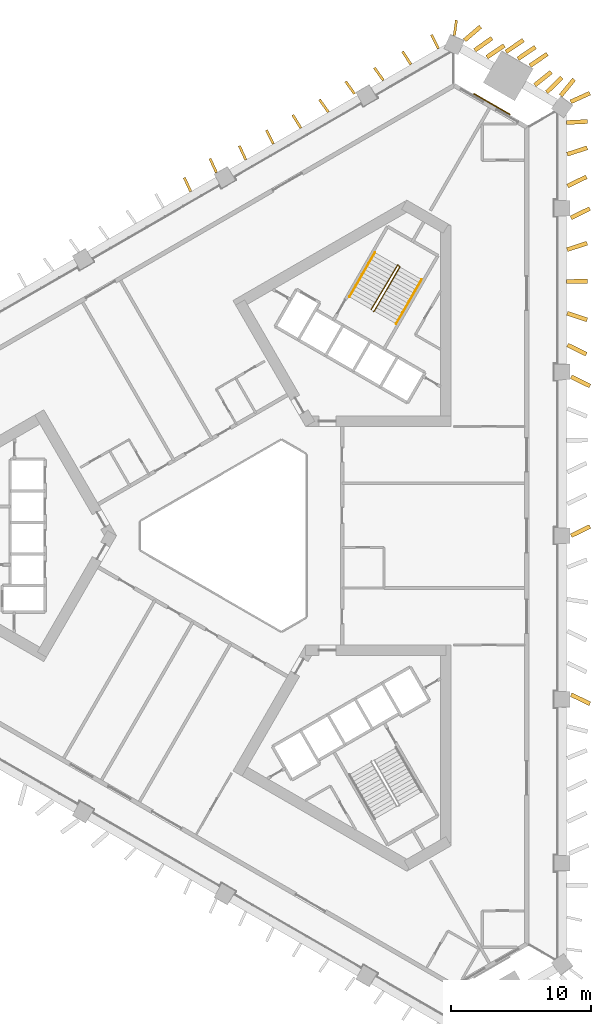
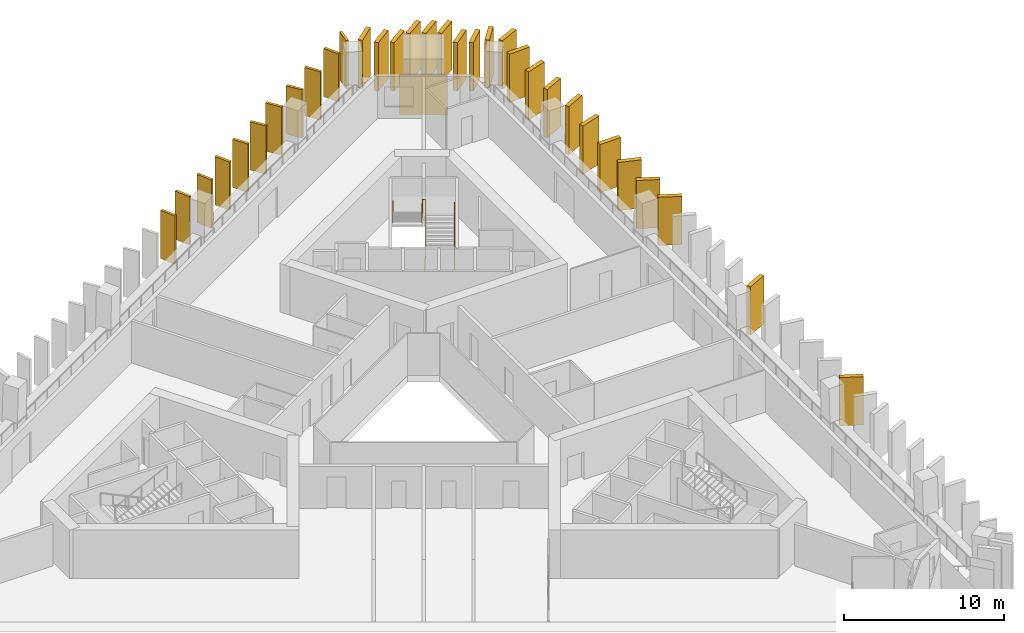
# One storey, part 11 of 11: 32 shading devices, 3 railings, 1 covering.
"""IFC4 building model written with IfcOpenShell, lengths in metres."""

from ifc_helpers import new_model, si_unit, direction, frame, frame_2d, origin, origin_2d, place, context, subcontext, project, spatial, rectangle, circle, extrude, material, layer, layer_set, type_object, element, save


model = new_model("IFC4")

# Units and contexts
model_context = context("Model", 3, precision=1e-05, world=origin(), true_north=direction((0.0, 1.0)))
body_context = subcontext(model_context, "Body", "Model", "MODEL_VIEW")
ifc_project = project(units=[si_unit("LENGTHUNIT", "METRE"), si_unit("AREAUNIT", "SQUARE_METRE"), si_unit("VOLUMEUNIT", "CUBIC_METRE"), si_unit("PLANEANGLEUNIT", "RADIAN"), si_unit("MASSUNIT", "GRAM", prefix="KILO")], contexts=[model_context])

# Site, building, storey
site_placement = place(None, origin())
site = spatial("IfcSite", under=ifc_project, at=site_placement, CompositionType="ELEMENT")
building_placement = place(site_placement, origin())
building = spatial("IfcBuilding", under=site, at=building_placement, Name="Jabali Bay Hotel Tower and Convention Centre", CompositionType="ELEMENT")
storey_placement = place(building_placement, frame((0.0, 0.0, 90.60009765625)))
storey = spatial("IfcBuildingStorey", under=building, at=storey_placement, Name="L21", CompositionType="ELEMENT", Elevation=90.60009765625)

# Shading devices
ifc_material_1 = material(Name="Precast concrete C60", Category="concrete")
ifc_layer_1 = layer(ifc_material_1, 0.179931640625)
ifc_layer_set_1 = layer_set([ifc_layer_1], Name="Precast concrete C60")
shading_device_type_1 = type_object("IfcShadingDeviceType", Name="Precast fin 3680 x 1100", PredefinedType="USERDEFINED", material=ifc_layer_set_1)
shading_device_1_placement = place(storey_placement, frame((88.978515625, 114.771728515625, 0.010009765625), z_axis=(0.0, 0.0, 1.0), x_axis=(-0.452355669193, 0.891837624542, 0.0)))
element("IfcShadingDevice", 1, at=shading_device_1_placement, inside=storey, type_object=shading_device_type_1, Name="Fin L21 036", ObjectType="FIN", PredefinedType="USERDEFINED", context=body_context, shape_type="SweptSolid", body=[
    extrude(rectangle(XDim=1.099853515625, YDim=0.179931640625, at=frame_2d((0.5498046875, 0.0))), origin(), (0.0, 0.0, 1.0), 3.679931640625),
])
for number, where, z_axis, x_axis, name in (
    (2, (87.013916015625, 113.63720703125, 0.010009765625), (0.0, 0.0, 1.0), (-0.545705789235, 0.837976844307, 0.0), "Fin L21 037"),
    (3, (85.047119140625, 112.5068359375, 0.010009765625), (0.0, 0.0, 1.0), (-0.586098088667, 0.810240106673, 0.0), "Fin L21 038"),
    (4, (82.991943359375, 111.529296875, 0.010009765625), (0.0, 0.0, 1.0), (-0.580398075065, 0.814332901497, 0.0), "Fin L21 039"),
):
    element("IfcShadingDevice", number, at=place(storey_placement, frame(where, z_axis=z_axis, x_axis=x_axis)), inside=storey, type_object=shading_device_type_1, Name=name, ObjectType="FIN", PredefinedType="USERDEFINED", context=body_context, shape_type="SweptSolid", body=[
        extrude(rectangle(XDim=1.10009765625, YDim=0.179931640625, at=frame_2d((0.550048828125, 0.0))), origin(), (0.0, 0.0, 1.0), 3.679931640625),
    ])
shading_device_2_placement = place(storey_placement, frame((81.1181640625, 110.237548828125, 0.010009765625), z_axis=(0.0, 0.0, 1.0), x_axis=(-0.578189759069, 0.815902324122, 0.0)))
element("IfcShadingDevice", 5, at=shading_device_2_placement, inside=storey, type_object=shading_device_type_1, Name="Fin L21 040", ObjectType="FIN", PredefinedType="USERDEFINED", context=body_context, shape_type="SweptSolid", body=[
    extrude(rectangle(XDim=1.099853515625, YDim=0.179931640625, at=frame_2d((0.5498046875, 0.0))), origin(), (0.0, 0.0, 1.0), 3.679931640625),
])
shading_device_3_placement = place(storey_placement, frame((79.15625, 109.098388671875, 0.010009765625), z_axis=(0.0, 0.0, 1.0), x_axis=(-0.527103179005, 0.849801293646, 0.0)))
element("IfcShadingDevice", 6, at=shading_device_3_placement, inside=storey, type_object=shading_device_type_1, Name="Fin L21 041", ObjectType="FIN", PredefinedType="USERDEFINED", context=body_context, shape_type="SweptSolid", body=[
    extrude(rectangle(XDim=1.10009765625, YDim=0.179931640625, at=frame_2d((0.550048828125, 0.0))), origin(), (0.0, 0.0, 1.0), 3.679931640625),
])
shading_device_4_placement = place(storey_placement, frame((77.1904296875, 107.966064453125, 0.010009765625), z_axis=(0.0, 0.0, 1.0), x_axis=(-0.449697858227, 0.893180741119, 0.0)))
element("IfcShadingDevice", 7, at=shading_device_4_placement, inside=storey, type_object=shading_device_type_1, Name="Fin L21 042", ObjectType="FIN", PredefinedType="USERDEFINED", context=body_context, shape_type="SweptSolid", body=[
    extrude(rectangle(XDim=1.099853515625, YDim=0.179931640625, at=frame_2d((0.5498046875, 0.0))), origin(), (0.0, 0.0, 1.0), 3.679931640625),
])
for number, where, z_axis, x_axis, name in (
    (8, (75.224365234375, 106.83447265625, 0.010009765625), (0.0, 0.0, 1.0), (-0.419030028282, 0.9079723759, 0.0), "Fin L21 043"),
    (9, (73.130859375, 105.923095703125, 0.010009765625), (0.0, 0.0, 1.0), (-0.419030028282, 0.9079723759, 0.0), "Fin L21 044"),
    (10, (71.294921875, 104.56591796875, 0.010009765625), (0.0, 0.0, 1.0), (-0.419030028282, 0.9079723759, 0.0), "Fin L21 045"),
    (11, (90.109619140625, 115.70556640625, 0.010009765625), (0.0, 0.0, 1.0), (0.139370443126, 0.990240314057, 0.0), "Fin L21 110"),
):
    element("IfcShadingDevice", number, at=place(storey_placement, frame(where, z_axis=z_axis, x_axis=x_axis)), inside=storey, type_object=shading_device_type_1, Name=name, ObjectType="FIN", PredefinedType="USERDEFINED", context=body_context, shape_type="SweptSolid", body=[
        extrude(rectangle(XDim=1.10009765625, YDim=0.179931640625, at=frame_2d((0.550048828125, 0.0))), origin(), (0.0, 0.0, 1.0), 3.679931640625),
    ])
ifc_layer_2 = layer(ifc_material_1, 0.300048828125)
ifc_layer_set_2 = layer_set([ifc_layer_2], Name="Precast concrete C60")
shading_device_type_2 = type_object("IfcShadingDeviceType", Name="Precast fin 3680 x 1500", PredefinedType="USERDEFINED", material=ifc_layer_set_2)
shading_device_5_placement = place(storey_placement, frame((98.442138671875, 68.656982421875, 0.010009765625), z_axis=(0.0, 0.0, 1.0), x_axis=(0.899193548537, -0.437551096753, 0.0)))
element("IfcShadingDevice", 12, at=shading_device_5_placement, inside=storey, type_object=shading_device_type_2, Name="Fin L21 008", ObjectType="FIN", PredefinedType="USERDEFINED", context=body_context, shape_type="SweptSolid", body=[
    extrude(rectangle(XDim=1.499755859375, YDim=0.300048828125, at=frame_2d((0.75, 0.0))), origin(), (0.0, 0.0, 1.0), 3.679931640625),
])
for number, where, z_axis, x_axis, name in (
    (13, (98.442138671875, 80.0, 0.010009765625), (0.0, 0.0, 1.0), (0.899129499022, 0.43768269784, 0.0), "Fin L21 013"),
    (14, (98.442138671875, 91.343017578125, 0.010009765625), (0.0, 0.0, 1.0), (0.899129499022, -0.43768269784, 0.0), "Fin L21 018"),
    (15, (98.1845703125, 93.611572265625, 0.010009765625), (0.0, 0.0, 1.0), (0.899129499022, -0.43768269784, 0.0), "Fin L21 019"),
    (16, (98.166748046875, 95.880126953125, 0.010009765625), (0.0, 0.0, 1.0), (0.947702265569, -0.319155786155, 0.0), "Fin L21 020"),
    (17, (98.120361328125, 98.148681640625, 0.010009765625), (0.0, 0.0, 1.0), (0.999950717225, 0.009927896118, 0.0), "Fin L21 021"),
    (18, (98.165283203125, 100.417236328125, 0.010009765625), (0.0, 0.0, 1.0), (0.951239600379, 0.308452950499, 0.0), "Fin L21 022"),
    (19, (98.42626953125, 102.685791015625, 0.010009765625), (0.0, 0.0, 1.0), (0.899129499022, 0.43768269784, 0.0), "Fin L21 023"),
):
    element("IfcShadingDevice", number, at=place(storey_placement, frame(where, z_axis=z_axis, x_axis=x_axis)), inside=storey, type_object=shading_device_type_2, Name=name, ObjectType="FIN", PredefinedType="USERDEFINED", context=body_context, shape_type="SweptSolid", body=[
        extrude(rectangle(XDim=1.5, YDim=0.300048828125, at=frame_2d((0.75, 0.0))), origin(), (0.0, 0.0, 1.0), 3.679931640625),
    ])
shading_device_6_placement = place(storey_placement, frame((98.1845703125, 104.954345703125, 0.010009765625), z_axis=(0.0, 0.0, 1.0), x_axis=(0.899160672984, 0.437618651521, 0.0)))
element("IfcShadingDevice", 20, at=shading_device_6_placement, inside=storey, type_object=shading_device_type_2, Name="Fin L21 024", ObjectType="FIN", PredefinedType="USERDEFINED", context=body_context, shape_type="SweptSolid", body=[
    extrude(rectangle(XDim=1.500244140625, YDim=0.300048828125, at=frame_2d((0.75, 0.0))), origin(), (0.0, 0.0, 1.0), 3.679931640625),
])
for number, where, z_axis, x_axis, name in (
    (21, (98.165283203125, 107.22314453125, 0.010009765625), (0.0, 0.0, 1.0), (0.951032872603, 0.309089752708, 0.0), "Fin L21 025"),
    (22, (98.1259765625, 109.49169921875, 0.010009765625), (0.0, 0.0, 1.0), (0.998923421484, 0.046389632577, 0.0), "Fin L21 026"),
    (23, (97.706787109375, 111.40869140625, 0.010009765625), (0.0, 0.0, 1.0), (0.631951849945, 0.775007651156, 0.0), "Fin L21 027"),
):
    element("IfcShadingDevice", number, at=place(storey_placement, frame(where, z_axis=z_axis, x_axis=x_axis)), inside=storey, type_object=shading_device_type_2, Name=name, ObjectType="FIN", PredefinedType="USERDEFINED", context=body_context, shape_type="SweptSolid", body=[
        extrude(rectangle(XDim=1.5, YDim=0.300048828125, at=frame_2d((0.75, 0.0))), origin(), (0.0, 0.0, 1.0), 3.679931640625),
    ])
shading_device_7_placement = place(storey_placement, frame((96.7041015625, 111.652099609375, 0.010009765625), z_axis=(0.0, 0.0, 1.0), x_axis=(0.716563228156, 0.697522143057, 0.0)))
element("IfcShadingDevice", 24, at=shading_device_7_placement, inside=storey, type_object=shading_device_type_2, Name="Fin L21 028", ObjectType="FIN", PredefinedType="USERDEFINED", context=body_context, shape_type="SweptSolid", body=[
    extrude(rectangle(XDim=1.500244140625, YDim=0.300048828125, at=frame_2d((0.75, 0.0))), origin(), (0.0, 0.0, 1.0), 3.679931640625),
])
for number, where, z_axis, x_axis, name in (
    (25, (95.853759765625, 112.1591796875, 0.010009765625), (0.0, 0.0, 1.0), (0.781265636341, 0.624198690701, 0.0), "Fin L21 029"),
    (26, (95.507568359375, 113.539794921875, 0.010009765625), (0.0, 0.0, 1.0), (0.825355164951, 0.564613896118, 0.0), "Fin L21 030"),
    (27, (94.650390625, 114.03564453125, 0.010009765625), (0.0, 0.0, 1.0), (0.828654266351, 0.55976075859, 0.0), "Fin L21 031"),
    (28, (93.79296875, 114.53076171875, 0.010009765625), (0.0, 0.0, 1.0), (0.828654266351, 0.55976075859, 0.0), "Fin L21 032"),
    (29, (92.429443359375, 114.14892578125, 0.010009765625), (0.0, 0.0, 1.0), (0.828578765843, 0.559872511196, 0.0), "Fin L21 033"),
):
    element("IfcShadingDevice", number, at=place(storey_placement, frame(where, z_axis=z_axis, x_axis=x_axis)), inside=storey, type_object=shading_device_type_2, Name=name, ObjectType="FIN", PredefinedType="USERDEFINED", context=body_context, shape_type="SweptSolid", body=[
        extrude(rectangle(XDim=1.5, YDim=0.300048828125, at=frame_2d((0.75, 0.0))), origin(), (0.0, 0.0, 1.0), 3.679931640625),
    ])
shading_device_8_placement = place(storey_placement, frame((91.5703125, 114.64111328125, 0.010009765625), z_axis=(0.0, 0.0, 1.0), x_axis=(0.814392869315, 0.580313927465, 0.0)))
element("IfcShadingDevice", 30, at=shading_device_8_placement, inside=storey, type_object=shading_device_type_2, Name="Fin L21 034", ObjectType="FIN", PredefinedType="USERDEFINED", context=body_context, shape_type="SweptSolid", body=[
    extrude(rectangle(XDim=1.499755859375, YDim=0.300048828125, at=frame_2d((0.75, 0.0))), origin(), (0.0, 0.0, 1.0), 3.679931640625),
])
shading_device_9_placement = place(storey_placement, frame((90.841064453125, 115.358154296875, 0.010009765625), z_axis=(0.0, 0.0, 1.0), x_axis=(0.760278216216, 0.649597593859, 0.0)))
element("IfcShadingDevice", 31, at=shading_device_9_placement, inside=storey, type_object=shading_device_type_2, Name="Fin L21 035", ObjectType="FIN", PredefinedType="USERDEFINED", context=body_context, shape_type="SweptSolid", body=[
    extrude(rectangle(XDim=1.5, YDim=0.300048828125, at=frame_2d((0.75, 0.0))), origin(), (0.0, 0.0, 1.0), 3.679931640625),
])
shading_device_10_placement = place(storey_placement, frame((98.413330078125, 110.964599609375, 0.010009765625), z_axis=(0.0, 0.0, 1.0), x_axis=(0.910745168474, 0.412968810084, 0.0)))
element("IfcShadingDevice", 32, at=shading_device_10_placement, inside=storey, type_object=shading_device_type_2, Name="Fin L21 109", ObjectType="FIN", PredefinedType="USERDEFINED", context=body_context, shape_type="SweptSolid", body=[
    extrude(rectangle(XDim=1.499755859375, YDim=0.300048828125, at=frame_2d((0.75, 0.0))), origin(), (0.0, 0.0, 1.0), 3.679931640625),
])

# Covering
ifc_material_2 = material(Name="Precast concrete C40/50", Category="concrete")
ifc_layer_3 = layer(ifc_material_2, 0.080078125)
ifc_layer_set_3 = layer_set([ifc_layer_3], Name="Precast concrete C40/50")
covering_type = type_object("IfcCoveringType", Name="Relief panel 3000 x 3000", PredefinedType="CLADDING", material=ifc_layer_set_3)
covering_placement = place(storey_placement, frame((92.7880859375, 110.809814453125, 0.099853515625), z_axis=(0.0, 0.0, 1.0), x_axis=(0.866025408855, -0.499999991218, 0.0)))
element("IfcCovering", 33, at=covering_placement, inside=storey, type_object=covering_type, Name="Relief panel L21", PredefinedType="CLADDING", context=body_context, shape_type="SweptSolid", body=[
    extrude(rectangle(XDim=3.0, YDim=0.080078125, at=origin_2d()), origin(), (0.0, 0.0, 1.0), 3.0),
])

# Railings
ifc_material_3 = material(Name="Steel Q355B", Category="steel")
railing_type_1 = type_object("IfcRailingType", Name="Stair guard 1100", PredefinedType="GUARDRAIL", material=ifc_material_3)
railing_1_placement = place(storey_placement, frame((84.329833984375, 96.010009765625, 0.0)))
element("IfcRailing", 34, at=railing_1_placement, inside=storey, type_object=railing_type_1, Name="L21 ST2 stair guard 1", PredefinedType="GUARDRAIL", context=body_context, shape_type="SweptSolid", body=[
    extrude(circle(Radius=0.02392578125, at=origin_2d()), frame((0.0, 0.0, 1.076171875), z_axis=(0.456201556387, 0.122196845461, 0.881446578591), x_axis=(-0.258736085224, 0.965948051503, 0.0)), (0.0, 0.0, 1.0), 0.14990234375),
    extrude(circle(Radius=0.02392578125, at=origin_2d()), frame((0.068359375, 0.018310546875, 1.2080078125), z_axis=(0.452190331055, 0.783190014029, 0.426775475427), x_axis=(-0.866018046521, 0.500012742938, 0.0)), (0.0, 0.0, 1.0), 4.02490234375),
    extrude(circle(Radius=0.02392578125, at=origin_2d()), frame((1.888427734375, 3.170654296875, 2.92578125), z_axis=(-0.718850276695, 0.695164929852, 0.0), x_axis=(-0.695164929852, -0.718850276695, 0.0)), (0.0, 0.0, 1.0), 0.2060546875),
    extrude(circle(Radius=0.02392578125, at=origin_2d()), frame((1.740234375, 3.31396484375, 2.92578125), z_axis=(-0.457445338502, -0.768046879266, 0.448160410493), x_axis=(0.859157857954, -0.511710636118, 0.0)), (0.0, 0.0, 1.0), 4.128173828125),
    extrude(circle(Radius=0.02099609375, at=origin_2d()), origin(), (0.0, 0.0, 1.0), 1.052001953125),
    extrude(circle(Radius=0.02099609375, at=origin_2d()), frame((0.068359375, 0.018310546875, 0.132080078125)), (0.0, 0.0, 1.0), 1.052001953125),
    extrude(circle(Radius=0.02099609375, at=origin_2d()), frame((0.5234375, 0.806396484375, 0.5615234375)), (0.0, 0.0, 1.0), 1.052001953125),
    extrude(circle(Radius=0.02099609375, at=origin_2d()), frame((0.978515625, 1.594482421875, 0.990966796875)), (0.0, 0.0, 1.0), 1.052001953125),
    extrude(circle(Radius=0.02099609375, at=origin_2d()), frame((1.433349609375, 2.382568359375, 1.42041015625)), (0.0, 0.0, 1.0), 1.052001953125),
    extrude(circle(Radius=0.02099609375, at=origin_2d()), frame((1.888427734375, 3.170654296875, 1.849853515625)), (0.0, 0.0, 1.0), 1.052001953125),
    extrude(circle(Radius=0.02099609375, at=origin_2d()), frame((1.740234375, 3.31396484375, 1.849853515625)), (0.0, 0.0, 1.0), 1.052001953125),
    extrude(circle(Radius=0.02099609375, at=origin_2d()), frame((1.26806640625, 2.521240234375, 2.3125)), (0.0, 0.0, 1.0), 1.052001953125),
    extrude(circle(Radius=0.02099609375, at=origin_2d()), frame((0.7958984375, 1.728515625, 2.77490234375)), (0.0, 0.0, 1.0), 1.052001953125),
    extrude(circle(Radius=0.02099609375, at=origin_2d()), frame((0.323974609375, 0.93603515625, 3.2373046875)), (0.0, 0.0, 1.0), 1.052001953125),
    extrude(circle(Radius=0.02099609375, at=origin_2d()), frame((-0.148193359375, 0.143310546875, 3.699951171875)), (0.0, 0.0, 1.0), 1.052001953125),
])
railing_type_2 = type_object("IfcRailingType", Name="Stair handrail 900", PredefinedType="HANDRAIL", material=ifc_material_3)
railing_2_placement = place(storey_placement, frame((85.95703125, 95.128173828125, 0.132080078125)))
element("IfcRailing", 35, at=railing_2_placement, inside=storey, type_object=railing_type_2, Name="L21 ST2 stair handrail 1", PredefinedType="HANDRAIL", context=body_context, shape_type="SweptSolid", body=[
    extrude(circle(Radius=0.02392578125, at=origin_2d()), frame((0.0, 0.0, 0.8759765625), z_axis=(0.452190331055, 0.783190014029, 0.426775475427), x_axis=(-0.866018046521, 0.500012742938, 0.0)), (0.0, 0.0, 1.0), 4.02490234375),
    extrude(circle(Radius=0.02099609375, at=origin_2d()), origin(), (0.0, 0.0, 1.0), 0.851806640625),
    extrude(circle(Radius=0.02099609375, at=origin_2d()), frame((0.455078125, 0.7880859375, 0.429443359375)), (0.0, 0.0, 1.0), 0.851806640625),
    extrude(circle(Radius=0.02099609375, at=origin_2d()), frame((0.91015625, 1.576171875, 0.85888671875)), (0.0, 0.0, 1.0), 0.851806640625),
    extrude(circle(Radius=0.02099609375, at=origin_2d()), frame((1.364990234375, 2.3642578125, 1.288330078125)), (0.0, 0.0, 1.0), 0.851806640625),
    extrude(circle(Radius=0.02099609375, at=origin_2d()), frame((1.820068359375, 3.15234375, 1.7177734375)), (0.0, 0.0, 1.0), 0.851806640625),
])
railing_3_placement = place(storey_placement, frame((84.44287109375, 100.20556640625, 1.98193359375)))
element("IfcRailing", 36, at=railing_3_placement, inside=storey, type_object=railing_type_2, Name="L21 ST2 stair handrail 2", PredefinedType="HANDRAIL", context=body_context, shape_type="SweptSolid", body=[
    extrude(circle(Radius=0.02392578125, at=origin_2d()), frame((0.0, 0.0, 0.8759765625), z_axis=(-0.45217862506, -0.783169739339, 0.426825081763), x_axis=(0.866018046521, -0.500012742938, 0.0)), (0.0, 0.0, 1.0), 4.025146484375),
    extrude(circle(Radius=0.02099609375, at=origin_2d()), origin(), (0.0, 0.0, 1.0), 0.851806640625),
    extrude(circle(Radius=0.02099609375, at=origin_2d()), frame((-0.455078125, -0.7880859375, 0.429443359375)), (0.0, 0.0, 1.0), 0.851806640625),
    extrude(circle(Radius=0.02099609375, at=origin_2d()), frame((-0.91015625, -1.576171875, 0.85888671875)), (0.0, 0.0, 1.0), 0.851806640625),
    extrude(circle(Radius=0.02099609375, at=origin_2d()), frame((-1.364990234375, -2.3642578125, 1.28857421875)), (0.0, 0.0, 1.0), 0.851806640625),
    extrude(circle(Radius=0.02099609375, at=origin_2d()), frame((-1.820068359375, -3.15234375, 1.718017578125)), (0.0, 0.0, 1.0), 0.851806640625),
])

save(model, "model.ifc")
